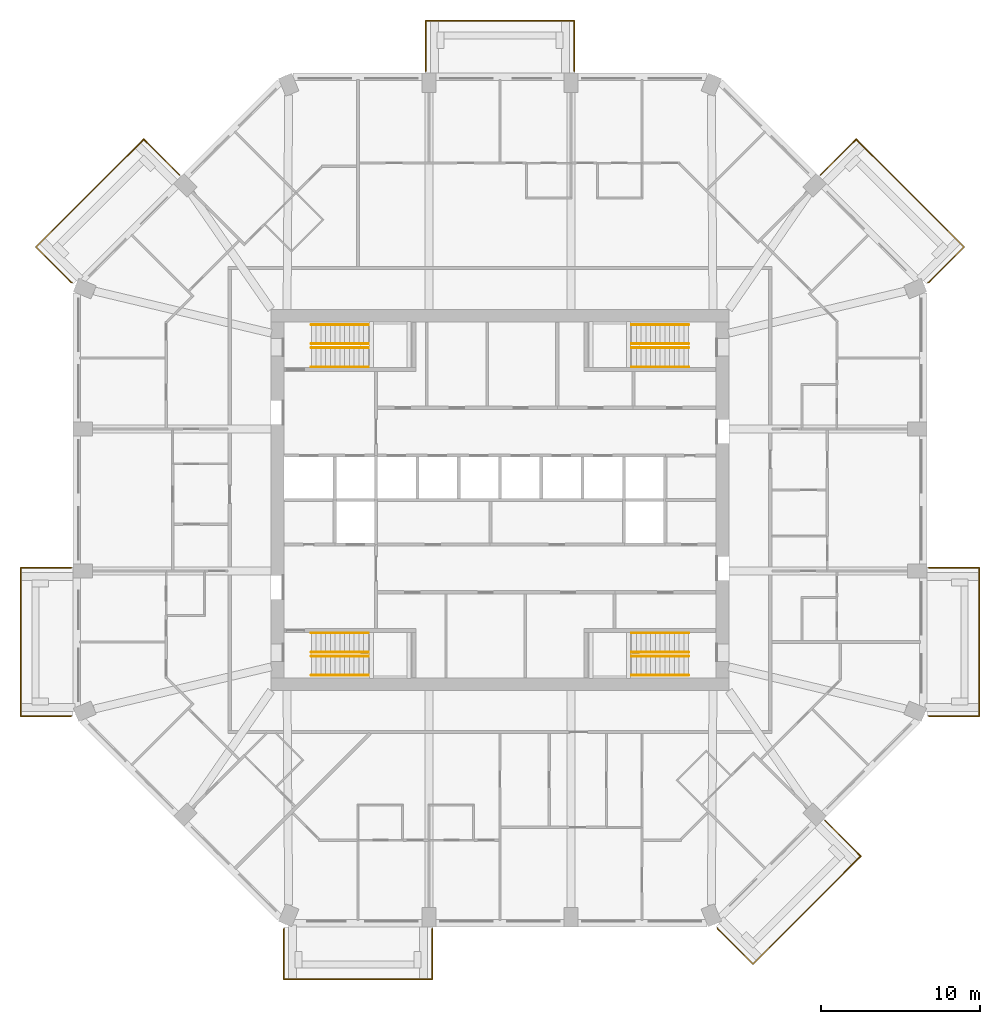
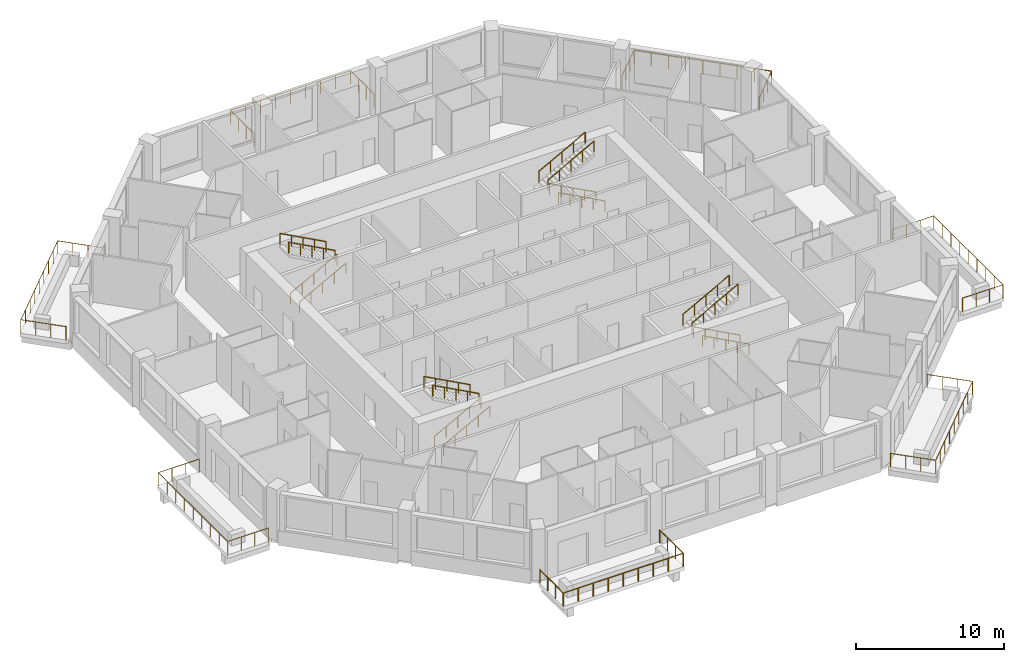
# One storey, part 12 of 12: 23 railings.
"""IFC4 building model written with IfcOpenShell, lengths in metres."""

from ifc_helpers import new_model, si_unit, direction, frame, origin, origin_2d, place, context, subcontext, project, spatial, circle, extrude, material, constituent, constituent_set, type_object, element, save


model = new_model("IFC4")

# Units and contexts
model_context = context("Model", 3, precision=1e-05, world=origin(), true_north=direction((0.0, 1.0)))
body_context = subcontext(model_context, "Body", "Model", "MODEL_VIEW")
ifc_project = project(units=[si_unit("LENGTHUNIT", "METRE"), si_unit("AREAUNIT", "SQUARE_METRE"), si_unit("VOLUMEUNIT", "CUBIC_METRE"), si_unit("PLANEANGLEUNIT", "RADIAN"), si_unit("MASSUNIT", "GRAM", prefix="KILO")], contexts=[model_context])

# Site, building, storey
site_placement = place(None, origin())
site = spatial("IfcSite", under=ifc_project, at=site_placement, CompositionType="ELEMENT")
building_placement = place(site_placement, origin())
building = spatial("IfcBuilding", under=site, at=building_placement, Name="Msitu Wima Residences", CompositionType="ELEMENT")
storey_placement = place(building_placement, frame((0.0, 0.0, 127.5)))
storey = spatial("IfcBuildingStorey", under=building, at=storey_placement, Name="L29", CompositionType="ELEMENT", Elevation=127.5)

# Railings
ifc_material_1 = material(Name="Steel S355", Category="steel")
ifc_constituent_1 = constituent(ifc_material_1, Name="Steel S355")
ifc_material_2 = material(Name="Weathering patina")
ifc_constituent_2 = constituent(ifc_material_2, Name="Weathering patina")
ifc_constituent_set_1 = constituent_set(constituents=[ifc_constituent_1, ifc_constituent_2], Name="Steel S355")
railing_type_1 = type_object("IfcRailingType", Name="Balcony guard GR1100", PredefinedType="GUARDRAIL", material=ifc_constituent_set_1)
railing_1_placement = place(storey_placement, frame((26.97998046875, -4.2685546875, 0.0)))
element("IfcRailing", 1, at=railing_1_placement, inside=storey, type_object=railing_type_1, Name="Balcony guard E0 L29", PredefinedType="GUARDRAIL", context=body_context, shape_type="SweptSolid", body=[
    extrude(circle(Radius=0.02392578125, at=origin_2d()), frame((0.0, 0.0, 1.076171875), z_axis=(1.0, 0.0, 0.0), x_axis=(0.0, 1.0, 0.0)), (0.0, 0.0, 1.0), 3.169921875),
    extrude(circle(Radius=0.02392578125, at=origin_2d()), frame((3.169921875, 0.0, 1.076171875), z_axis=(0.0, -1.0, 0.0), x_axis=(1.0, 0.0, 0.0)), (0.0, 0.0, 1.0), 9.33740234375),
    extrude(circle(Radius=0.02392578125, at=origin_2d()), frame((3.169921875, -9.33740234375, 1.076171875), z_axis=(-1.0, 0.0, 0.0), x_axis=(0.0, -1.0, 0.0)), (0.0, 0.0, 1.0), 3.136474609375),
    extrude(circle(Radius=0.02392578125, at=origin_2d()), frame((0.033447265625, -9.33740234375, 1.076171875), z_axis=(-0.923276184907, 0.384136806859, 0.0), x_axis=(-0.384136806859, -0.923276184907, 0.0)), (0.0, 0.0, 1.0), 0.0361328125),
    extrude(circle(Radius=0.02099609375, at=origin_2d()), origin(), (0.0, 0.0, 1.0), 1.052001953125),
    extrude(circle(Radius=0.02099609375, at=origin_2d()), frame((1.056640625, 0.0, 0.0)), (0.0, 0.0, 1.0), 1.052001953125),
    extrude(circle(Radius=0.02099609375, at=origin_2d()), frame((2.11328125, 0.0, 0.0)), (0.0, 0.0, 1.0), 1.052001953125),
    extrude(circle(Radius=0.02099609375, at=origin_2d()), frame((3.169921875, 0.0, 0.0)), (0.0, 0.0, 1.0), 1.052001953125),
    extrude(circle(Radius=0.02099609375, at=origin_2d()), frame((3.169921875, -1.167236328125, 0.0)), (0.0, 0.0, 1.0), 1.052001953125),
    extrude(circle(Radius=0.02099609375, at=origin_2d()), frame((3.169921875, -2.33447265625, 0.0)), (0.0, 0.0, 1.0), 1.052001953125),
    extrude(circle(Radius=0.02099609375, at=origin_2d()), frame((3.169921875, -3.50146484375, 0.0)), (0.0, 0.0, 1.0), 1.052001953125),
    extrude(circle(Radius=0.02099609375, at=origin_2d()), frame((3.169921875, -4.668701171875, 0.0)), (0.0, 0.0, 1.0), 1.052001953125),
    extrude(circle(Radius=0.02099609375, at=origin_2d()), frame((3.169921875, -5.8359375, 0.0)), (0.0, 0.0, 1.0), 1.052001953125),
    extrude(circle(Radius=0.02099609375, at=origin_2d()), frame((3.169921875, -7.0029296875, 0.0)), (0.0, 0.0, 1.0), 1.052001953125),
    extrude(circle(Radius=0.02099609375, at=origin_2d()), frame((3.169921875, -8.170166015625, 0.0)), (0.0, 0.0, 1.0), 1.052001953125),
    extrude(circle(Radius=0.02099609375, at=origin_2d()), frame((3.169921875, -9.33740234375, 0.0)), (0.0, 0.0, 1.0), 1.052001953125),
    extrude(circle(Radius=0.02099609375, at=origin_2d()), frame((2.12451171875, -9.33740234375, 0.0)), (0.0, 0.0, 1.0), 1.052001953125),
    extrude(circle(Radius=0.02099609375, at=origin_2d()), frame((1.078857421875, -9.33740234375, 0.0)), (0.0, 0.0, 1.0), 1.052001953125),
    extrude(circle(Radius=0.02099609375, at=origin_2d()), frame((0.033447265625, -9.33740234375, 0.0)), (0.0, 0.0, 1.0), 1.052001953125),
    extrude(circle(Radius=0.02099609375, at=origin_2d()), frame((0.0, -9.323486328125, 0.0)), (0.0, 0.0, 1.0), 1.052001953125),
])
railing_2_placement = place(storey_placement, frame((20.171630859375, 20.45458984375, 0.0)))
element("IfcRailing", 2, at=railing_2_placement, inside=storey, type_object=railing_type_1, Name="Balcony guard NE0 L29", PredefinedType="GUARDRAIL", context=body_context, shape_type="SweptSolid", body=[
    extrude(circle(Radius=0.02392578125, at=origin_2d()), frame((0.0, 0.0, 1.076171875), z_axis=(0.707106781187, 0.707106781187, 0.0), x_axis=(-0.707106781187, 0.707106781187, 0.0)), (0.0, 0.0, 1.0), 3.169921875),
    extrude(circle(Radius=0.02392578125, at=origin_2d()), frame((2.241455078125, 2.241455078125, 1.076171875), z_axis=(0.707106781187, -0.707106781187, 0.0), x_axis=(0.707106781187, 0.707106781187, 0.0)), (0.0, 0.0, 1.0), 9.58837890625),
    extrude(circle(Radius=0.02392578125, at=origin_2d()), frame((9.021484375, -4.53857421875, 1.076171875), z_axis=(-0.707106781187, -0.707106781187, 0.0), x_axis=(0.707106781187, -0.707106781187, 0.0)), (0.0, 0.0, 1.0), 3.136474609375),
    extrude(circle(Radius=0.02392578125, at=origin_2d()), frame((6.8037109375, -6.75634765625, 1.076171875), z_axis=(-0.92426142649, -0.38176015442, 0.0), x_axis=(0.38176015442, -0.92426142649, 0.0)), (0.0, 0.0, 1.0), 0.036376953125),
    extrude(circle(Radius=0.02099609375, at=origin_2d()), origin(), (0.0, 0.0, 1.0), 1.052001953125),
    extrude(circle(Radius=0.02099609375, at=origin_2d()), frame((0.7470703125, 0.7470703125, 0.0)), (0.0, 0.0, 1.0), 1.052001953125),
    extrude(circle(Radius=0.02099609375, at=origin_2d()), frame((1.494384765625, 1.494384765625, 0.0)), (0.0, 0.0, 1.0), 1.052001953125),
    extrude(circle(Radius=0.02099609375, at=origin_2d()), frame((2.241455078125, 2.241455078125, 0.0)), (0.0, 0.0, 1.0), 1.052001953125),
    extrude(circle(Radius=0.02099609375, at=origin_2d()), frame((3.0888671875, 1.39404296875, 0.0)), (0.0, 0.0, 1.0), 1.052001953125),
    extrude(circle(Radius=0.02099609375, at=origin_2d()), frame((3.9365234375, 0.54638671875, 0.0)), (0.0, 0.0, 1.0), 1.052001953125),
    extrude(circle(Radius=0.02099609375, at=origin_2d()), frame((4.783935546875, -0.301025390625, 0.0)), (0.0, 0.0, 1.0), 1.052001953125),
    extrude(circle(Radius=0.02099609375, at=origin_2d()), frame((5.63134765625, -1.1484375, 0.0)), (0.0, 0.0, 1.0), 1.052001953125),
    extrude(circle(Radius=0.02099609375, at=origin_2d()), frame((6.47900390625, -1.99609375, 0.0)), (0.0, 0.0, 1.0), 1.052001953125),
    extrude(circle(Radius=0.02099609375, at=origin_2d()), frame((7.326416015625, -2.843505859375, 0.0)), (0.0, 0.0, 1.0), 1.052001953125),
    extrude(circle(Radius=0.02099609375, at=origin_2d()), frame((8.174072265625, -3.691162109375, 0.0)), (0.0, 0.0, 1.0), 1.052001953125),
    extrude(circle(Radius=0.02099609375, at=origin_2d()), frame((9.021484375, -4.53857421875, 0.0)), (0.0, 0.0, 1.0), 1.052001953125),
    extrude(circle(Radius=0.02099609375, at=origin_2d()), frame((8.2822265625, -5.27783203125, 0.0)), (0.0, 0.0, 1.0), 1.052001953125),
    extrude(circle(Radius=0.02099609375, at=origin_2d()), frame((7.54296875, -6.01708984375, 0.0)), (0.0, 0.0, 1.0), 1.052001953125),
    extrude(circle(Radius=0.02099609375, at=origin_2d()), frame((6.8037109375, -6.75634765625, 0.0)), (0.0, 0.0, 1.0), 1.052001953125),
    extrude(circle(Radius=0.02099609375, at=origin_2d()), frame((6.77001953125, -6.770263671875, 0.0)), (0.0, 0.0, 1.0), 1.052001953125),
])
railing_3_placement = place(storey_placement, frame((-4.668701171875, 26.97998046875, 0.0)))
element("IfcRailing", 3, at=railing_3_placement, inside=storey, type_object=railing_type_1, Name="Balcony guard N1 L29", PredefinedType="GUARDRAIL", context=body_context, shape_type="SweptSolid", body=[
    extrude(circle(Radius=0.02392578125, at=origin_2d()), frame((0.0, 0.0, 1.076171875), z_axis=(0.0, 1.0, 0.0), x_axis=(-1.0, 0.0, 0.0)), (0.0, 0.0, 1.0), 3.169921875),
    extrude(circle(Radius=0.02392578125, at=origin_2d()), frame((0.0, 3.169921875, 1.076171875), z_axis=(1.0, 0.0, 0.0), x_axis=(0.0, 1.0, 0.0)), (0.0, 0.0, 1.0), 9.33740234375),
    extrude(circle(Radius=0.02392578125, at=origin_2d()), frame((9.33740234375, 3.169921875, 1.076171875), z_axis=(0.0, -1.0, 0.0), x_axis=(1.0, 0.0, 0.0)), (0.0, 0.0, 1.0), 3.169921875),
    extrude(circle(Radius=0.02099609375, at=origin_2d()), origin(), (0.0, 0.0, 1.0), 1.052001953125),
    extrude(circle(Radius=0.02099609375, at=origin_2d()), frame((0.0, 1.056640625, 0.0)), (0.0, 0.0, 1.0), 1.052001953125),
    extrude(circle(Radius=0.02099609375, at=origin_2d()), frame((0.0, 2.11328125, 0.0)), (0.0, 0.0, 1.0), 1.052001953125),
    extrude(circle(Radius=0.02099609375, at=origin_2d()), frame((0.0, 3.169921875, 0.0)), (0.0, 0.0, 1.0), 1.052001953125),
    extrude(circle(Radius=0.02099609375, at=origin_2d()), frame((1.167236328125, 3.169921875, 0.0)), (0.0, 0.0, 1.0), 1.052001953125),
    extrude(circle(Radius=0.02099609375, at=origin_2d()), frame((2.33447265625, 3.169921875, 0.0)), (0.0, 0.0, 1.0), 1.052001953125),
    extrude(circle(Radius=0.02099609375, at=origin_2d()), frame((3.50146484375, 3.169921875, 0.0)), (0.0, 0.0, 1.0), 1.052001953125),
    extrude(circle(Radius=0.02099609375, at=origin_2d()), frame((4.668701171875, 3.169921875, 0.0)), (0.0, 0.0, 1.0), 1.052001953125),
    extrude(circle(Radius=0.02099609375, at=origin_2d()), frame((5.8359375, 3.169921875, 0.0)), (0.0, 0.0, 1.0), 1.052001953125),
    extrude(circle(Radius=0.02099609375, at=origin_2d()), frame((7.0029296875, 3.169921875, 0.0)), (0.0, 0.0, 1.0), 1.052001953125),
    extrude(circle(Radius=0.02099609375, at=origin_2d()), frame((8.170166015625, 3.169921875, 0.0)), (0.0, 0.0, 1.0), 1.052001953125),
    extrude(circle(Radius=0.02099609375, at=origin_2d()), frame((9.33740234375, 3.169921875, 0.0)), (0.0, 0.0, 1.0), 1.052001953125),
    extrude(circle(Radius=0.02099609375, at=origin_2d()), frame((9.33740234375, 2.11328125, 0.0)), (0.0, 0.0, 1.0), 1.052001953125),
    extrude(circle(Radius=0.02099609375, at=origin_2d()), frame((9.33740234375, 1.056640625, 0.0)), (0.0, 0.0, 1.0), 1.052001953125),
    extrude(circle(Radius=0.02099609375, at=origin_2d()), frame((9.33740234375, 0.0, 0.0)), (0.0, 0.0, 1.0), 1.052001953125),
])
railing_4_placement = place(storey_placement, frame((-26.941650390625, 13.684326171875, 0.0)))
element("IfcRailing", 4, at=railing_4_placement, inside=storey, type_object=railing_type_1, Name="Balcony guard NW1 L29", PredefinedType="GUARDRAIL", context=body_context, shape_type="SweptSolid", body=[
    extrude(circle(Radius=0.02392578125, at=origin_2d()), frame((0.0, 0.0, 1.076171875), z_axis=(-0.92426142649, 0.38176015442, 0.0), x_axis=(-0.38176015442, -0.92426142649, 0.0)), (0.0, 0.0, 1.0), 0.036376953125),
    extrude(circle(Radius=0.02392578125, at=origin_2d()), frame((-0.03369140625, 0.013916015625, 1.076171875), z_axis=(-0.707106781187, 0.707106781187, 0.0), x_axis=(-0.707106781187, -0.707106781187, 0.0)), (0.0, 0.0, 1.0), 3.136474609375),
    extrude(circle(Radius=0.02392578125, at=origin_2d()), frame((-2.25146484375, 2.231689453125, 1.076171875), z_axis=(0.707106781187, 0.707106781187, 0.0), x_axis=(-0.707106781187, 0.707106781187, 0.0)), (0.0, 0.0, 1.0), 9.58837890625),
    extrude(circle(Radius=0.02392578125, at=origin_2d()), frame((4.528564453125, 9.01171875, 1.076171875), z_axis=(0.707106781187, -0.707106781187, 0.0), x_axis=(0.707106781187, 0.707106781187, 0.0)), (0.0, 0.0, 1.0), 3.169921875),
    extrude(circle(Radius=0.02099609375, at=origin_2d()), origin(), (0.0, 0.0, 1.0), 1.052001953125),
    extrude(circle(Radius=0.02099609375, at=origin_2d()), frame((-0.03369140625, 0.013916015625, 0.0)), (0.0, 0.0, 1.0), 1.052001953125),
    extrude(circle(Radius=0.02099609375, at=origin_2d()), frame((-0.77294921875, 0.753173828125, 0.0)), (0.0, 0.0, 1.0), 1.052001953125),
    extrude(circle(Radius=0.02099609375, at=origin_2d()), frame((-1.51220703125, 1.492431640625, 0.0)), (0.0, 0.0, 1.0), 1.052001953125),
    extrude(circle(Radius=0.02099609375, at=origin_2d()), frame((-2.25146484375, 2.231689453125, 0.0)), (0.0, 0.0, 1.0), 1.052001953125),
    extrude(circle(Radius=0.02099609375, at=origin_2d()), frame((-1.404052734375, 3.0791015625, 0.0)), (0.0, 0.0, 1.0), 1.052001953125),
    extrude(circle(Radius=0.02099609375, at=origin_2d()), frame((-0.556396484375, 3.9267578125, 0.0)), (0.0, 0.0, 1.0), 1.052001953125),
    extrude(circle(Radius=0.02099609375, at=origin_2d()), frame((0.291015625, 4.774169921875, 0.0)), (0.0, 0.0, 1.0), 1.052001953125),
    extrude(circle(Radius=0.02099609375, at=origin_2d()), frame((1.138671875, 5.62158203125, 0.0)), (0.0, 0.0, 1.0), 1.052001953125),
    extrude(circle(Radius=0.02099609375, at=origin_2d()), frame((1.986083984375, 6.46923828125, 0.0)), (0.0, 0.0, 1.0), 1.052001953125),
    extrude(circle(Radius=0.02099609375, at=origin_2d()), frame((2.83349609375, 7.316650390625, 0.0)), (0.0, 0.0, 1.0), 1.052001953125),
    extrude(circle(Radius=0.02099609375, at=origin_2d()), frame((3.68115234375, 8.164306640625, 0.0)), (0.0, 0.0, 1.0), 1.052001953125),
    extrude(circle(Radius=0.02099609375, at=origin_2d()), frame((4.528564453125, 9.01171875, 0.0)), (0.0, 0.0, 1.0), 1.052001953125),
    extrude(circle(Radius=0.02099609375, at=origin_2d()), frame((5.275634765625, 8.2646484375, 0.0)), (0.0, 0.0, 1.0), 1.052001953125),
    extrude(circle(Radius=0.02099609375, at=origin_2d()), frame((6.02294921875, 7.517333984375, 0.0)), (0.0, 0.0, 1.0), 1.052001953125),
    extrude(circle(Radius=0.02099609375, at=origin_2d()), frame((6.77001953125, 6.770263671875, 0.0)), (0.0, 0.0, 1.0), 1.052001953125),
])
railing_5_placement = place(storey_placement, frame((-26.97998046875, -13.592041015625, 0.0)))
element("IfcRailing", 5, at=railing_5_placement, inside=storey, type_object=railing_type_1, Name="Balcony guard W2 L29", PredefinedType="GUARDRAIL", context=body_context, shape_type="SweptSolid", body=[
    extrude(circle(Radius=0.02392578125, at=origin_2d()), frame((0.0, 0.0, 1.076171875), z_axis=(-0.923276184907, -0.384136806859, 0.0), x_axis=(0.384136806859, -0.923276184907, 0.0)), (0.0, 0.0, 1.0), 0.0361328125),
    extrude(circle(Radius=0.02392578125, at=origin_2d()), frame((-0.033447265625, -0.013916015625, 1.076171875), z_axis=(-1.0, 0.0, 0.0), x_axis=(0.0, -1.0, 0.0)), (0.0, 0.0, 1.0), 3.136474609375),
    extrude(circle(Radius=0.02392578125, at=origin_2d()), frame((-3.169921875, -0.013916015625, 1.076171875), z_axis=(0.0, 1.0, 0.0), x_axis=(-1.0, 0.0, 0.0)), (0.0, 0.0, 1.0), 9.33740234375),
    extrude(circle(Radius=0.02392578125, at=origin_2d()), frame((-3.169921875, 9.323486328125, 1.076171875), z_axis=(1.0, 0.0, 0.0), x_axis=(0.0, 1.0, 0.0)), (0.0, 0.0, 1.0), 3.169921875),
    extrude(circle(Radius=0.02099609375, at=origin_2d()), origin(), (0.0, 0.0, 1.0), 1.052001953125),
    extrude(circle(Radius=0.02099609375, at=origin_2d()), frame((-0.033447265625, -0.013916015625, 0.0)), (0.0, 0.0, 1.0), 1.052001953125),
    extrude(circle(Radius=0.02099609375, at=origin_2d()), frame((-1.078857421875, -0.013916015625, 0.0)), (0.0, 0.0, 1.0), 1.052001953125),
    extrude(circle(Radius=0.02099609375, at=origin_2d()), frame((-2.12451171875, -0.013916015625, 0.0)), (0.0, 0.0, 1.0), 1.052001953125),
    extrude(circle(Radius=0.02099609375, at=origin_2d()), frame((-3.169921875, -0.013916015625, 0.0)), (0.0, 0.0, 1.0), 1.052001953125),
    extrude(circle(Radius=0.02099609375, at=origin_2d()), frame((-3.169921875, 1.1533203125, 0.0)), (0.0, 0.0, 1.0), 1.052001953125),
    extrude(circle(Radius=0.02099609375, at=origin_2d()), frame((-3.169921875, 2.3203125, 0.0)), (0.0, 0.0, 1.0), 1.052001953125),
    extrude(circle(Radius=0.02099609375, at=origin_2d()), frame((-3.169921875, 3.487548828125, 0.0)), (0.0, 0.0, 1.0), 1.052001953125),
    extrude(circle(Radius=0.02099609375, at=origin_2d()), frame((-3.169921875, 4.65478515625, 0.0)), (0.0, 0.0, 1.0), 1.052001953125),
    extrude(circle(Radius=0.02099609375, at=origin_2d()), frame((-3.169921875, 5.822021484375, 0.0)), (0.0, 0.0, 1.0), 1.052001953125),
    extrude(circle(Radius=0.02099609375, at=origin_2d()), frame((-3.169921875, 6.9892578125, 0.0)), (0.0, 0.0, 1.0), 1.052001953125),
    extrude(circle(Radius=0.02099609375, at=origin_2d()), frame((-3.169921875, 8.15625, 0.0)), (0.0, 0.0, 1.0), 1.052001953125),
    extrude(circle(Radius=0.02099609375, at=origin_2d()), frame((-3.169921875, 9.323486328125, 0.0)), (0.0, 0.0, 1.0), 1.052001953125),
    extrude(circle(Radius=0.02099609375, at=origin_2d()), frame((-2.11328125, 9.323486328125, 0.0)), (0.0, 0.0, 1.0), 1.052001953125),
    extrude(circle(Radius=0.02099609375, at=origin_2d()), frame((-1.056640625, 9.323486328125, 0.0)), (0.0, 0.0, 1.0), 1.052001953125),
    extrude(circle(Radius=0.02099609375, at=origin_2d()), frame((0.0, 9.323486328125, 0.0)), (0.0, 0.0, 1.0), 1.052001953125),
])
railing_6_placement = place(storey_placement, frame((-4.2685546875, -26.97998046875, 0.0)))
element("IfcRailing", 6, at=railing_6_placement, inside=storey, type_object=railing_type_1, Name="Balcony guard S0 L29", PredefinedType="GUARDRAIL", context=body_context, shape_type="SweptSolid", body=[
    extrude(circle(Radius=0.02392578125, at=origin_2d()), frame((0.0, 0.0, 1.076171875), z_axis=(0.0, -1.0, 0.0), x_axis=(1.0, 0.0, 0.0)), (0.0, 0.0, 1.0), 3.169921875),
    extrude(circle(Radius=0.02392578125, at=origin_2d()), frame((0.0, -3.169921875, 1.076171875), z_axis=(-1.0, 0.0, 0.0), x_axis=(0.0, -1.0, 0.0)), (0.0, 0.0, 1.0), 9.33740234375),
    extrude(circle(Radius=0.02392578125, at=origin_2d()), frame((-9.33740234375, -3.169921875, 1.076171875), z_axis=(0.0, 1.0, 0.0), x_axis=(-1.0, 0.0, 0.0)), (0.0, 0.0, 1.0), 3.136474609375),
    extrude(circle(Radius=0.02392578125, at=origin_2d()), frame((-9.33740234375, -0.033447265625, 1.076171875), z_axis=(0.384136806859, 0.923276184907, 0.0), x_axis=(-0.923276184907, 0.384136806859, 0.0)), (0.0, 0.0, 1.0), 0.0361328125),
    extrude(circle(Radius=0.02099609375, at=origin_2d()), origin(), (0.0, 0.0, 1.0), 1.052001953125),
    extrude(circle(Radius=0.02099609375, at=origin_2d()), frame((0.0, -1.056640625, 0.0)), (0.0, 0.0, 1.0), 1.052001953125),
    extrude(circle(Radius=0.02099609375, at=origin_2d()), frame((0.0, -2.11328125, 0.0)), (0.0, 0.0, 1.0), 1.052001953125),
    extrude(circle(Radius=0.02099609375, at=origin_2d()), frame((0.0, -3.169921875, 0.0)), (0.0, 0.0, 1.0), 1.052001953125),
    extrude(circle(Radius=0.02099609375, at=origin_2d()), frame((-1.167236328125, -3.169921875, 0.0)), (0.0, 0.0, 1.0), 1.052001953125),
    extrude(circle(Radius=0.02099609375, at=origin_2d()), frame((-2.33447265625, -3.169921875, 0.0)), (0.0, 0.0, 1.0), 1.052001953125),
    extrude(circle(Radius=0.02099609375, at=origin_2d()), frame((-3.50146484375, -3.169921875, 0.0)), (0.0, 0.0, 1.0), 1.052001953125),
    extrude(circle(Radius=0.02099609375, at=origin_2d()), frame((-4.668701171875, -3.169921875, 0.0)), (0.0, 0.0, 1.0), 1.052001953125),
    extrude(circle(Radius=0.02099609375, at=origin_2d()), frame((-5.8359375, -3.169921875, 0.0)), (0.0, 0.0, 1.0), 1.052001953125),
    extrude(circle(Radius=0.02099609375, at=origin_2d()), frame((-7.0029296875, -3.169921875, 0.0)), (0.0, 0.0, 1.0), 1.052001953125),
    extrude(circle(Radius=0.02099609375, at=origin_2d()), frame((-8.170166015625, -3.169921875, 0.0)), (0.0, 0.0, 1.0), 1.052001953125),
    extrude(circle(Radius=0.02099609375, at=origin_2d()), frame((-9.33740234375, -3.169921875, 0.0)), (0.0, 0.0, 1.0), 1.052001953125),
    extrude(circle(Radius=0.02099609375, at=origin_2d()), frame((-9.33740234375, -2.12451171875, 0.0)), (0.0, 0.0, 1.0), 1.052001953125),
    extrude(circle(Radius=0.02099609375, at=origin_2d()), frame((-9.33740234375, -1.078857421875, 0.0)), (0.0, 0.0, 1.0), 1.052001953125),
    extrude(circle(Radius=0.02099609375, at=origin_2d()), frame((-9.33740234375, -0.033447265625, 0.0)), (0.0, 0.0, 1.0), 1.052001953125),
    extrude(circle(Radius=0.02099609375, at=origin_2d()), frame((-9.323486328125, 0.0, 0.0)), (0.0, 0.0, 1.0), 1.052001953125),
])
railing_7_placement = place(storey_placement, frame((20.45458984375, -20.171630859375, 0.0)))
element("IfcRailing", 7, at=railing_7_placement, inside=storey, type_object=railing_type_1, Name="Balcony guard SE0 L29", PredefinedType="GUARDRAIL", context=body_context, shape_type="SweptSolid", body=[
    extrude(circle(Radius=0.02392578125, at=origin_2d()), frame((0.0, 0.0, 1.076171875), z_axis=(0.707106781187, -0.707106781187, 0.0), x_axis=(0.707106781187, 0.707106781187, 0.0)), (0.0, 0.0, 1.0), 3.169921875),
    extrude(circle(Radius=0.02392578125, at=origin_2d()), frame((2.241455078125, -2.241455078125, 1.076171875), z_axis=(-0.707106781187, -0.707106781187, 0.0), x_axis=(0.707106781187, -0.707106781187, 0.0)), (0.0, 0.0, 1.0), 9.58837890625),
    extrude(circle(Radius=0.02392578125, at=origin_2d()), frame((-4.53857421875, -9.021484375, 1.076171875), z_axis=(-0.707106781187, 0.707106781187, 0.0), x_axis=(-0.707106781187, -0.707106781187, 0.0)), (0.0, 0.0, 1.0), 3.136474609375),
    extrude(circle(Radius=0.02392578125, at=origin_2d()), frame((-6.75634765625, -6.8037109375, 1.076171875), z_axis=(-0.38176015442, 0.92426142649, 0.0), x_axis=(-0.92426142649, -0.38176015442, 0.0)), (0.0, 0.0, 1.0), 0.036376953125),
    extrude(circle(Radius=0.02099609375, at=origin_2d()), origin(), (0.0, 0.0, 1.0), 1.052001953125),
    extrude(circle(Radius=0.02099609375, at=origin_2d()), frame((0.7470703125, -0.7470703125, 0.0)), (0.0, 0.0, 1.0), 1.052001953125),
    extrude(circle(Radius=0.02099609375, at=origin_2d()), frame((1.494384765625, -1.494384765625, 0.0)), (0.0, 0.0, 1.0), 1.052001953125),
    extrude(circle(Radius=0.02099609375, at=origin_2d()), frame((2.241455078125, -2.241455078125, 0.0)), (0.0, 0.0, 1.0), 1.052001953125),
    extrude(circle(Radius=0.02099609375, at=origin_2d()), frame((1.39404296875, -3.0888671875, 0.0)), (0.0, 0.0, 1.0), 1.052001953125),
    extrude(circle(Radius=0.02099609375, at=origin_2d()), frame((0.54638671875, -3.9365234375, 0.0)), (0.0, 0.0, 1.0), 1.052001953125),
    extrude(circle(Radius=0.02099609375, at=origin_2d()), frame((-0.301025390625, -4.783935546875, 0.0)), (0.0, 0.0, 1.0), 1.052001953125),
    extrude(circle(Radius=0.02099609375, at=origin_2d()), frame((-1.1484375, -5.63134765625, 0.0)), (0.0, 0.0, 1.0), 1.052001953125),
    extrude(circle(Radius=0.02099609375, at=origin_2d()), frame((-1.99609375, -6.47900390625, 0.0)), (0.0, 0.0, 1.0), 1.052001953125),
    extrude(circle(Radius=0.02099609375, at=origin_2d()), frame((-2.843505859375, -7.326416015625, 0.0)), (0.0, 0.0, 1.0), 1.052001953125),
    extrude(circle(Radius=0.02099609375, at=origin_2d()), frame((-3.691162109375, -8.174072265625, 0.0)), (0.0, 0.0, 1.0), 1.052001953125),
    extrude(circle(Radius=0.02099609375, at=origin_2d()), frame((-4.53857421875, -9.021484375, 0.0)), (0.0, 0.0, 1.0), 1.052001953125),
    extrude(circle(Radius=0.02099609375, at=origin_2d()), frame((-5.27783203125, -8.2822265625, 0.0)), (0.0, 0.0, 1.0), 1.052001953125),
    extrude(circle(Radius=0.02099609375, at=origin_2d()), frame((-6.01708984375, -7.54296875, 0.0)), (0.0, 0.0, 1.0), 1.052001953125),
    extrude(circle(Radius=0.02099609375, at=origin_2d()), frame((-6.75634765625, -6.8037109375, 0.0)), (0.0, 0.0, 1.0), 1.052001953125),
    extrude(circle(Radius=0.02099609375, at=origin_2d()), frame((-6.770263671875, -6.77001953125, 0.0)), (0.0, 0.0, 1.0), 1.052001953125),
])
ifc_constituent_3 = constituent(ifc_material_1, Name="Steel S355")
ifc_material_3 = material(Name="Black powder coating")
ifc_constituent_4 = constituent(ifc_material_3, Name="Black powder coating")
ifc_constituent_set_2 = constituent_set(constituents=[ifc_constituent_3, ifc_constituent_4], Name="Steel S355")
railing_type_2 = type_object("IfcRailingType", Name="Stair handrail HR1", PredefinedType="HANDRAIL", material=ifc_constituent_set_2)
for number, where, name in (
    (8, (-11.875, 8.375, 0.16162109375), "Stair 1 handrail"),
    (9, (-11.875, 9.574951171875, 0.16162109375), "Stair 1 handrail"),
):
    element("IfcRailing", number, at=place(storey_placement, frame(where)), inside=storey, type_object=railing_type_2, Name=name, PredefinedType="HANDRAIL", context=body_context, shape_type="SweptSolid", body=[
        extrude(circle(Radius=0.02392578125, at=origin_2d()), frame((0.0, 0.0, 0.8759765625), z_axis=(0.880474934443, 0.0, 0.474092701714), x_axis=(0.0, 1.0, 0.0)), (0.0, 0.0, 1.0), 4.0888671875),
        extrude(circle(Radius=0.02099609375, at=origin_2d()), origin(), (0.0, 0.0, 1.0), 0.851806640625),
        extrude(circle(Radius=0.02099609375, at=origin_2d()), frame((0.89990234375, 0.0, 0.484619140625)), (0.0, 0.0, 1.0), 0.851806640625),
        extrude(circle(Radius=0.02099609375, at=origin_2d()), frame((1.800048828125, 0.0, 0.96923828125)), (0.0, 0.0, 1.0), 0.851806640625),
        extrude(circle(Radius=0.02099609375, at=origin_2d()), frame((2.7001953125, 0.0, 1.453857421875)), (0.0, 0.0, 1.0), 0.851806640625),
        extrude(circle(Radius=0.02099609375, at=origin_2d()), frame((3.60009765625, 0.0, 1.9384765625)), (0.0, 0.0, 1.0), 0.851806640625),
    ])
for number, where, name in (
    (10, (-8.27490234375, 9.824951171875, 2.261474609375), "Stair 1 handrail"),
    (11, (-8.27490234375, 11.02490234375, 2.261474609375), "Stair 1 handrail"),
):
    element("IfcRailing", number, at=place(storey_placement, frame(where)), inside=storey, type_object=railing_type_2, Name=name, PredefinedType="HANDRAIL", context=body_context, shape_type="SweptSolid", body=[
        extrude(circle(Radius=0.02392578125, at=origin_2d()), frame((0.0, 0.0, 0.8759765625), z_axis=(-0.880474934443, 0.0, 0.474092701714), x_axis=(0.0, -1.0, 0.0)), (0.0, 0.0, 1.0), 4.0888671875),
        extrude(circle(Radius=0.02099609375, at=origin_2d()), origin(), (0.0, 0.0, 1.0), 0.851806640625),
        extrude(circle(Radius=0.02099609375, at=origin_2d()), frame((-0.89990234375, 0.0, 0.484619140625)), (0.0, 0.0, 1.0), 0.851806640625),
        extrude(circle(Radius=0.02099609375, at=origin_2d()), frame((-1.800048828125, 0.0, 0.96923828125)), (0.0, 0.0, 1.0), 0.851806640625),
        extrude(circle(Radius=0.02099609375, at=origin_2d()), frame((-2.7001953125, 0.0, 1.453857421875)), (0.0, 0.0, 1.0), 0.851806640625),
        extrude(circle(Radius=0.02099609375, at=origin_2d()), frame((-3.60009765625, 0.0, 1.9384765625)), (0.0, 0.0, 1.0), 0.851806640625),
    ])
for number, where, name in (
    (12, (-11.875, -11.02490234375, 0.16162109375), "Stair 2 handrail"),
    (13, (-11.875, -9.824951171875, 0.16162109375), "Stair 2 handrail"),
):
    element("IfcRailing", number, at=place(storey_placement, frame(where)), inside=storey, type_object=railing_type_2, Name=name, PredefinedType="HANDRAIL", context=body_context, shape_type="SweptSolid", body=[
        extrude(circle(Radius=0.02392578125, at=origin_2d()), frame((0.0, 0.0, 0.8759765625), z_axis=(0.880474934443, 0.0, 0.474092701714), x_axis=(0.0, 1.0, 0.0)), (0.0, 0.0, 1.0), 4.0888671875),
        extrude(circle(Radius=0.02099609375, at=origin_2d()), origin(), (0.0, 0.0, 1.0), 0.851806640625),
        extrude(circle(Radius=0.02099609375, at=origin_2d()), frame((0.89990234375, 0.0, 0.484619140625)), (0.0, 0.0, 1.0), 0.851806640625),
        extrude(circle(Radius=0.02099609375, at=origin_2d()), frame((1.800048828125, 0.0, 0.96923828125)), (0.0, 0.0, 1.0), 0.851806640625),
        extrude(circle(Radius=0.02099609375, at=origin_2d()), frame((2.7001953125, 0.0, 1.453857421875)), (0.0, 0.0, 1.0), 0.851806640625),
        extrude(circle(Radius=0.02099609375, at=origin_2d()), frame((3.60009765625, 0.0, 1.9384765625)), (0.0, 0.0, 1.0), 0.851806640625),
    ])
for number, where, name in (
    (14, (-8.27490234375, -9.574951171875, 2.261474609375), "Stair 2 handrail"),
    (15, (-8.27490234375, -8.375, 2.261474609375), "Stair 2 handrail"),
    (16, (11.875, 8.375, 0.16162109375), "Stair 3 handrail"),
    (17, (11.875, 9.574951171875, 0.16162109375), "Stair 3 handrail"),
):
    element("IfcRailing", number, at=place(storey_placement, frame(where)), inside=storey, type_object=railing_type_2, Name=name, PredefinedType="HANDRAIL", context=body_context, shape_type="SweptSolid", body=[
        extrude(circle(Radius=0.02392578125, at=origin_2d()), frame((0.0, 0.0, 0.8759765625), z_axis=(-0.880474934443, 0.0, 0.474092701714), x_axis=(0.0, -1.0, 0.0)), (0.0, 0.0, 1.0), 4.0888671875),
        extrude(circle(Radius=0.02099609375, at=origin_2d()), origin(), (0.0, 0.0, 1.0), 0.851806640625),
        extrude(circle(Radius=0.02099609375, at=origin_2d()), frame((-0.89990234375, 0.0, 0.484619140625)), (0.0, 0.0, 1.0), 0.851806640625),
        extrude(circle(Radius=0.02099609375, at=origin_2d()), frame((-1.800048828125, 0.0, 0.96923828125)), (0.0, 0.0, 1.0), 0.851806640625),
        extrude(circle(Radius=0.02099609375, at=origin_2d()), frame((-2.7001953125, 0.0, 1.453857421875)), (0.0, 0.0, 1.0), 0.851806640625),
        extrude(circle(Radius=0.02099609375, at=origin_2d()), frame((-3.60009765625, 0.0, 1.9384765625)), (0.0, 0.0, 1.0), 0.851806640625),
    ])
for number, where, name in (
    (18, (8.27490234375, 9.824951171875, 2.261474609375), "Stair 3 handrail"),
    (19, (8.27490234375, 11.02490234375, 2.261474609375), "Stair 3 handrail"),
):
    element("IfcRailing", number, at=place(storey_placement, frame(where)), inside=storey, type_object=railing_type_2, Name=name, PredefinedType="HANDRAIL", context=body_context, shape_type="SweptSolid", body=[
        extrude(circle(Radius=0.02392578125, at=origin_2d()), frame((0.0, 0.0, 0.8759765625), z_axis=(0.880474934443, 0.0, 0.474092701714), x_axis=(0.0, 1.0, 0.0)), (0.0, 0.0, 1.0), 4.0888671875),
        extrude(circle(Radius=0.02099609375, at=origin_2d()), origin(), (0.0, 0.0, 1.0), 0.851806640625),
        extrude(circle(Radius=0.02099609375, at=origin_2d()), frame((0.89990234375, 0.0, 0.484619140625)), (0.0, 0.0, 1.0), 0.851806640625),
        extrude(circle(Radius=0.02099609375, at=origin_2d()), frame((1.800048828125, 0.0, 0.96923828125)), (0.0, 0.0, 1.0), 0.851806640625),
        extrude(circle(Radius=0.02099609375, at=origin_2d()), frame((2.7001953125, 0.0, 1.453857421875)), (0.0, 0.0, 1.0), 0.851806640625),
        extrude(circle(Radius=0.02099609375, at=origin_2d()), frame((3.60009765625, 0.0, 1.9384765625)), (0.0, 0.0, 1.0), 0.851806640625),
    ])
for number, where, name in (
    (20, (11.875, -11.02490234375, 0.16162109375), "Stair 4 handrail"),
    (21, (11.875, -9.824951171875, 0.16162109375), "Stair 4 handrail"),
):
    element("IfcRailing", number, at=place(storey_placement, frame(where)), inside=storey, type_object=railing_type_2, Name=name, PredefinedType="HANDRAIL", context=body_context, shape_type="SweptSolid", body=[
        extrude(circle(Radius=0.02392578125, at=origin_2d()), frame((0.0, 0.0, 0.8759765625), z_axis=(-0.880474934443, 0.0, 0.474092701714), x_axis=(0.0, -1.0, 0.0)), (0.0, 0.0, 1.0), 4.0888671875),
        extrude(circle(Radius=0.02099609375, at=origin_2d()), origin(), (0.0, 0.0, 1.0), 0.851806640625),
        extrude(circle(Radius=0.02099609375, at=origin_2d()), frame((-0.89990234375, 0.0, 0.484619140625)), (0.0, 0.0, 1.0), 0.851806640625),
        extrude(circle(Radius=0.02099609375, at=origin_2d()), frame((-1.800048828125, 0.0, 0.96923828125)), (0.0, 0.0, 1.0), 0.851806640625),
        extrude(circle(Radius=0.02099609375, at=origin_2d()), frame((-2.7001953125, 0.0, 1.453857421875)), (0.0, 0.0, 1.0), 0.851806640625),
        extrude(circle(Radius=0.02099609375, at=origin_2d()), frame((-3.60009765625, 0.0, 1.9384765625)), (0.0, 0.0, 1.0), 0.851806640625),
    ])
for number, where, name in (
    (22, (8.27490234375, -9.574951171875, 2.261474609375), "Stair 4 handrail"),
    (23, (8.27490234375, -8.375, 2.261474609375), "Stair 4 handrail"),
):
    element("IfcRailing", number, at=place(storey_placement, frame(where)), inside=storey, type_object=railing_type_2, Name=name, PredefinedType="HANDRAIL", context=body_context, shape_type="SweptSolid", body=[
        extrude(circle(Radius=0.02392578125, at=origin_2d()), frame((0.0, 0.0, 0.8759765625), z_axis=(0.880474934443, 0.0, 0.474092701714), x_axis=(0.0, 1.0, 0.0)), (0.0, 0.0, 1.0), 4.0888671875),
        extrude(circle(Radius=0.02099609375, at=origin_2d()), origin(), (0.0, 0.0, 1.0), 0.851806640625),
        extrude(circle(Radius=0.02099609375, at=origin_2d()), frame((0.89990234375, 0.0, 0.484619140625)), (0.0, 0.0, 1.0), 0.851806640625),
        extrude(circle(Radius=0.02099609375, at=origin_2d()), frame((1.800048828125, 0.0, 0.96923828125)), (0.0, 0.0, 1.0), 0.851806640625),
        extrude(circle(Radius=0.02099609375, at=origin_2d()), frame((2.7001953125, 0.0, 1.453857421875)), (0.0, 0.0, 1.0), 0.851806640625),
        extrude(circle(Radius=0.02099609375, at=origin_2d()), frame((3.60009765625, 0.0, 1.9384765625)), (0.0, 0.0, 1.0), 0.851806640625),
    ])

save(model, "model.ifc")
